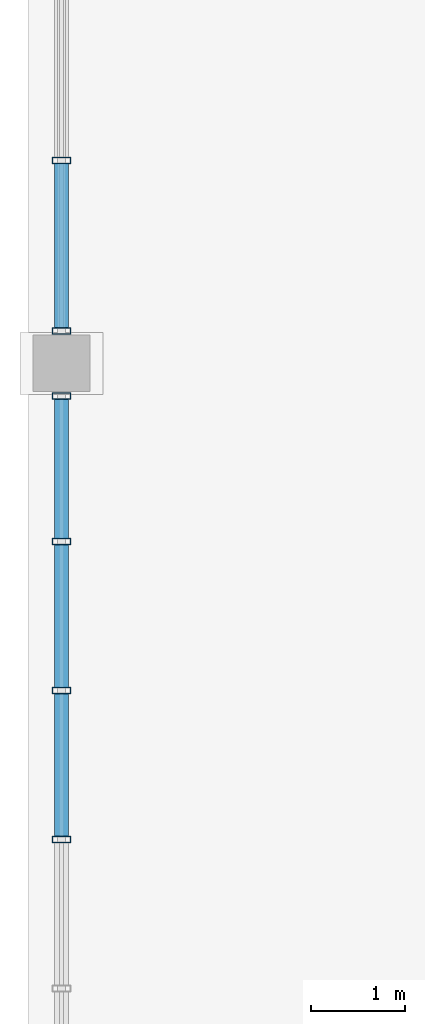
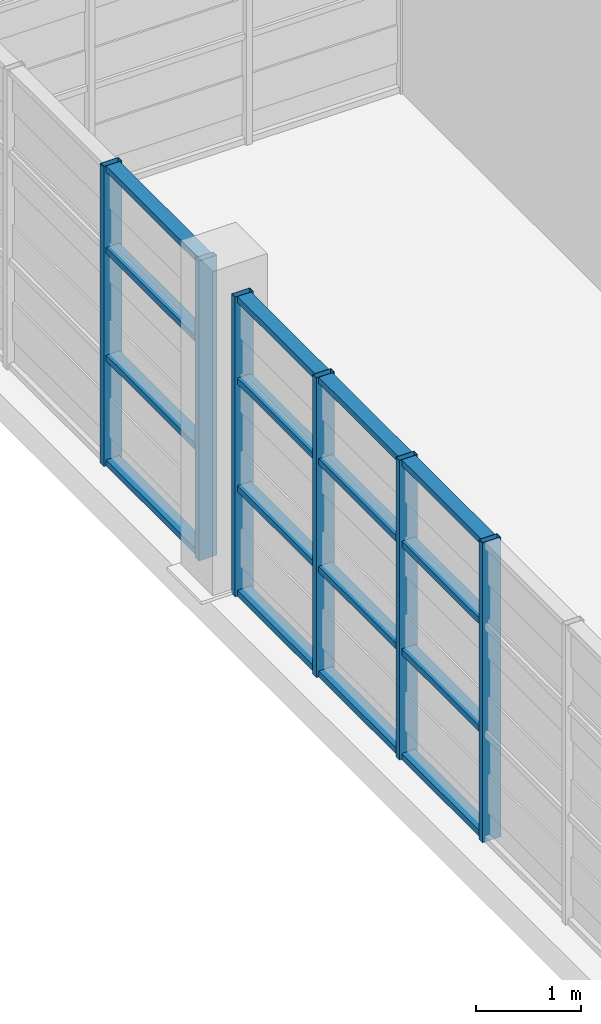
# One storey, part 10 of 24: 22 members, 2 elements without a shape of their own.
"""IFC4 building model written with IfcOpenShell, lengths in metres."""

from ifc_helpers import new_model, si_unit, direction, frame, origin, origin_2d, place, context, subcontext, project, spatial, hollow_rectangle, extrude, source, transform, mapped, material, layer, layer_set, material_profile, profile_set, type_object, element, aggregate, save


model = new_model("IFC4")

# Units and contexts
model_context = context("Model", 3, precision=1e-05, world=origin(), true_north=direction((0.0, 1.0)))
body_context = subcontext(model_context, "Body", "Model", "MODEL_VIEW")
ifc_project = project(units=[si_unit("LENGTHUNIT", "METRE"), si_unit("AREAUNIT", "SQUARE_METRE"), si_unit("VOLUMEUNIT", "CUBIC_METRE"), si_unit("PLANEANGLEUNIT", "RADIAN"), si_unit("MASSUNIT", "GRAM", prefix="KILO")], contexts=[model_context])

# Site, building, storey
site_placement = place(None, origin())
site = spatial("IfcSite", under=ifc_project, at=site_placement, CompositionType="ELEMENT")
building_placement = place(site_placement, origin())
building = spatial("IfcBuilding", under=site, at=building_placement, Name="Saelheon Loggia Tower", CompositionType="ELEMENT")
storey_placement = place(building_placement, frame((0.0, 0.0, 252.199951171875)))
storey = spatial("IfcBuildingStorey", under=building, at=storey_placement, Name="CR1", CompositionType="ELEMENT", Elevation=252.199951171875)

# Curtain wall, members
ifc_material_1 = material(Name="Bronze-Anodised Aluminium and Fritted Ceramic Screen", Category="aluminium")
ifc_layer = layer(ifc_material_1, 0.219970703125)
ifc_layer_set = layer_set([ifc_layer], Name="Bronze-Anodised Aluminium and Fritted Ceramic Screen")
curtain_wall_type = type_object("IfcCurtainWallType", Name="CW_CrownScreen", PredefinedType="NOTDEFINED", material=ifc_layer_set)
curtain_wall_1_placement = place(storey_placement, origin())
curtain_wall_1 = element("IfcCurtainWall", 1, at=curtain_wall_1_placement, inside=storey, type_object=curtain_wall_type, Name="CR1 Crown Screen Curtain Wall 9-1", PredefinedType="NOTDEFINED")
ifc_material_2 = material(Name="Bronze-Anodised Aluminium 6063-T6", Category="aluminium")
ifc_material_profile_1 = material_profile(ifc_material_2, hollow_rectangle(XDim=0.070068359375, YDim=0.199951171875, WallThickness=0.0048828125, at=origin_2d()), Name="RHS-200x70x5")
ifc_profile_set_1 = profile_set([ifc_material_profile_1], Name="Bronze-Anodised Aluminium 6063-T6")
member_type_1 = type_object("IfcMemberType", Name="CW_CrownScreen_Mullion", PredefinedType="MULLION", material=ifc_profile_set_1)
shared_shape_1 = source(origin(), body_context, "Body", "SweptSolid", [
    extrude(hollow_rectangle(XDim=0.070068359375, YDim=0.199951171875, WallThickness=0.0048828125, at=origin_2d()), origin(), (0.0, 0.0, 1.0), 3.47998046875),
])
member_1_placement = place(storey_placement, frame((23.35009765625, 38.1533203125, 0.0), z_axis=(0.0, 0.0, 1.0), x_axis=(0.0, -1.0, 0.0)))
member_1 = element("IfcMember", 2, at=member_1_placement, type_object=member_type_1, Name="CW6 mullion 3", PredefinedType="MULLION", context=body_context, shape_type="MappedRepresentation", body=[
    mapped(shared_shape_1, transform((0.0, 0.0, 0.0), scale=1.0)),
])
member_2_placement = place(storey_placement, frame((23.35009765625, 36.344970703125, 0.0), z_axis=(0.0, 0.0, 1.0), x_axis=(0.0, -1.0, 0.0)))
member_2 = element("IfcMember", 3, at=member_2_placement, type_object=member_type_1, Name="CW6 mullion 4", PredefinedType="MULLION", context=body_context, shape_type="MappedRepresentation", body=[
    mapped(shared_shape_1, transform((0.0, 0.0, 0.0), scale=1.0)),
])

curtain_wall_2_placement = place(storey_placement, origin())
curtain_wall_2 = element("IfcCurtainWall", 4, at=curtain_wall_2_placement, inside=storey, type_object=curtain_wall_type, Name="CR1 Crown Screen Curtain Wall 9-2", PredefinedType="NOTDEFINED")
member_3_placement = place(storey_placement, frame((23.35009765625, 35.655029296875, 0.0), z_axis=(0.0, 0.0, 1.0), x_axis=(0.0, -1.0, 0.0)))
member_3 = element("IfcMember", 5, at=member_3_placement, type_object=member_type_1, Name="CW6 mullion 1", PredefinedType="MULLION", context=body_context, shape_type="MappedRepresentation", body=[
    mapped(shared_shape_1, transform((0.0, 0.0, 0.0), scale=1.0)),
])
member_4_placement = place(storey_placement, frame((23.35009765625, 34.110107421875, 0.0), z_axis=(0.0, 0.0, 1.0), x_axis=(0.0, -1.0, 0.0)))
member_4 = element("IfcMember", 6, at=member_4_placement, type_object=member_type_1, Name="CW6 mullion 2", PredefinedType="MULLION", context=body_context, shape_type="MappedRepresentation", body=[
    mapped(shared_shape_1, transform((0.0, 0.0, 0.0), scale=1.0)),
])
member_5_placement = place(storey_placement, frame((23.35009765625, 32.530029296875, 0.0), z_axis=(0.0, 0.0, 1.0), x_axis=(0.0, -1.0, 0.0)))
member_5 = element("IfcMember", 7, at=member_5_placement, type_object=member_type_1, Name="CW6 mullion 3", PredefinedType="MULLION", context=body_context, shape_type="MappedRepresentation", body=[
    mapped(shared_shape_1, transform((0.0, 0.0, 0.0), scale=1.0)),
])
member_6_placement = place(storey_placement, frame((23.35009765625, 30.949951171875, 0.0), z_axis=(0.0, 0.0, 1.0), x_axis=(0.0, -1.0, 0.0)))
member_6 = element("IfcMember", 8, at=member_6_placement, type_object=member_type_1, Name="CW6 mullion 4", PredefinedType="MULLION", context=body_context, shape_type="MappedRepresentation", body=[
    mapped(shared_shape_1, transform((0.0, 0.0, 0.0), scale=1.0)),
])

# Member
ifc_material_profile_2 = material_profile(ifc_material_2, hollow_rectangle(XDim=0.070068359375, YDim=0.14990234375, WallThickness=0.0048828125, at=origin_2d()), Name="RHS-150x70x5")
ifc_profile_set_2 = profile_set([ifc_material_profile_2], Name="Bronze-Anodised Aluminium 6063-T6")
member_type_2 = type_object("IfcMemberType", Name="CW_CrownScreen_Transom", PredefinedType="USERDEFINED", material=ifc_profile_set_2)
shared_shape_2 = source(origin(), body_context, "Body", "SweptSolid", [
    extrude(hollow_rectangle(XDim=0.070068359375, YDim=0.14990234375, WallThickness=0.0048828125, at=origin_2d()), origin(), (0.0, 0.0, 1.0), 1.738525390625),
])
member_7_placement = place(storey_placement, frame((23.35009765625, 38.118408203125, 0.03515625), z_axis=(0.0, -1.0, 0.0), x_axis=(0.0, 0.0, 1.0)))
member_7 = element("IfcMember", 9, at=member_7_placement, type_object=member_type_2, Name="CW6 transom 3.1", ObjectType="TRANSOM", PredefinedType="USERDEFINED", context=body_context, shape_type="MappedRepresentation", body=[
    mapped(shared_shape_2, transform((0.0, 0.0, 0.0), scale=1.0)),
])

member_8_placement = place(storey_placement, frame((23.35009765625, 38.118408203125, 1.25), z_axis=(0.0, -1.0, 0.0), x_axis=(0.0, 0.0, 1.0)))
member_8 = element("IfcMember", 10, at=member_8_placement, type_object=member_type_2, Name="CW6 transom 3.2", ObjectType="TRANSOM", PredefinedType="USERDEFINED", context=body_context, shape_type="MappedRepresentation", body=[
    mapped(shared_shape_2, transform((0.0, 0.0, 0.0), scale=1.0)),
])

member_9_placement = place(storey_placement, frame((23.35009765625, 38.118408203125, 2.5), z_axis=(0.0, -1.0, 0.0), x_axis=(0.0, 0.0, 1.0)))
member_9 = element("IfcMember", 11, at=member_9_placement, type_object=member_type_2, Name="CW6 transom 3.3", ObjectType="TRANSOM", PredefinedType="USERDEFINED", context=body_context, shape_type="MappedRepresentation", body=[
    mapped(shared_shape_2, transform((0.0, 0.0, 0.0), scale=1.0)),
])

member_10_placement = place(storey_placement, frame((23.35009765625, 38.118408203125, 3.445068359375), z_axis=(0.0, -1.0, 0.0), x_axis=(0.0, 0.0, 1.0)))
member_10 = element("IfcMember", 12, at=member_10_placement, type_object=member_type_2, Name="CW6 transom 3.4", ObjectType="TRANSOM", PredefinedType="USERDEFINED", context=body_context, shape_type="MappedRepresentation", body=[
    mapped(shared_shape_2, transform((0.0, 0.0, 0.0), scale=1.0)),
])

aggregate(curtain_wall_1, [member_1, member_2, member_7, member_8, member_9, member_10])

shared_shape_3 = source(origin(), body_context, "Body", "SweptSolid", [
    extrude(hollow_rectangle(XDim=0.070068359375, YDim=0.14990234375, WallThickness=0.0048828125, at=origin_2d()), origin(), (0.0, 0.0, 1.0), 1.47509765625),
])
member_11_placement = place(storey_placement, frame((23.35009765625, 35.6201171875, 0.03515625), z_axis=(0.0, -1.0, 0.0), x_axis=(0.0, 0.0, 1.0)))
member_11 = element("IfcMember", 13, at=member_11_placement, type_object=member_type_2, Name="CW6 transom 1.1", ObjectType="TRANSOM", PredefinedType="USERDEFINED", context=body_context, shape_type="MappedRepresentation", body=[
    mapped(shared_shape_3, transform((0.0, 0.0, 0.0), scale=1.0)),
])

member_12_placement = place(storey_placement, frame((23.35009765625, 35.6201171875, 1.25), z_axis=(0.0, -1.0, 0.0), x_axis=(0.0, 0.0, 1.0)))
member_12 = element("IfcMember", 14, at=member_12_placement, type_object=member_type_2, Name="CW6 transom 1.2", ObjectType="TRANSOM", PredefinedType="USERDEFINED", context=body_context, shape_type="MappedRepresentation", body=[
    mapped(shared_shape_3, transform((0.0, 0.0, 0.0), scale=1.0)),
])

member_13_placement = place(storey_placement, frame((23.35009765625, 35.6201171875, 2.5), z_axis=(0.0, -1.0, 0.0), x_axis=(0.0, 0.0, 1.0)))
member_13 = element("IfcMember", 15, at=member_13_placement, type_object=member_type_2, Name="CW6 transom 1.3", ObjectType="TRANSOM", PredefinedType="USERDEFINED", context=body_context, shape_type="MappedRepresentation", body=[
    mapped(shared_shape_3, transform((0.0, 0.0, 0.0), scale=1.0)),
])

member_14_placement = place(storey_placement, frame((23.35009765625, 35.6201171875, 3.445068359375), z_axis=(0.0, -1.0, 0.0), x_axis=(0.0, 0.0, 1.0)))
member_14 = element("IfcMember", 16, at=member_14_placement, type_object=member_type_2, Name="CW6 transom 1.4", ObjectType="TRANSOM", PredefinedType="USERDEFINED", context=body_context, shape_type="MappedRepresentation", body=[
    mapped(shared_shape_3, transform((0.0, 0.0, 0.0), scale=1.0)),
])

shared_shape_4 = source(origin(), body_context, "Body", "SweptSolid", [
    extrude(hollow_rectangle(XDim=0.070068359375, YDim=0.14990234375, WallThickness=0.0048828125, at=origin_2d()), origin(), (0.0, 0.0, 1.0), 1.510009765625),
])
member_15_placement = place(storey_placement, frame((23.35009765625, 34.074951171875, 0.03515625), z_axis=(0.0, -1.0, 0.0), x_axis=(0.0, 0.0, 1.0)))
member_15 = element("IfcMember", 17, at=member_15_placement, type_object=member_type_2, Name="CW6 transom 2.1", ObjectType="TRANSOM", PredefinedType="USERDEFINED", context=body_context, shape_type="MappedRepresentation", body=[
    mapped(shared_shape_4, transform((0.0, 0.0, 0.0), scale=1.0)),
])

member_16_placement = place(storey_placement, frame((23.35009765625, 34.074951171875, 1.25), z_axis=(0.0, -1.0, 0.0), x_axis=(0.0, 0.0, 1.0)))
member_16 = element("IfcMember", 18, at=member_16_placement, type_object=member_type_2, Name="CW6 transom 2.2", ObjectType="TRANSOM", PredefinedType="USERDEFINED", context=body_context, shape_type="MappedRepresentation", body=[
    mapped(shared_shape_4, transform((0.0, 0.0, 0.0), scale=1.0)),
])

member_17_placement = place(storey_placement, frame((23.35009765625, 34.074951171875, 2.5), z_axis=(0.0, -1.0, 0.0), x_axis=(0.0, 0.0, 1.0)))
member_17 = element("IfcMember", 19, at=member_17_placement, type_object=member_type_2, Name="CW6 transom 2.3", ObjectType="TRANSOM", PredefinedType="USERDEFINED", context=body_context, shape_type="MappedRepresentation", body=[
    mapped(shared_shape_4, transform((0.0, 0.0, 0.0), scale=1.0)),
])

member_18_placement = place(storey_placement, frame((23.35009765625, 34.074951171875, 3.445068359375), z_axis=(0.0, -1.0, 0.0), x_axis=(0.0, 0.0, 1.0)))
member_18 = element("IfcMember", 20, at=member_18_placement, type_object=member_type_2, Name="CW6 transom 2.4", ObjectType="TRANSOM", PredefinedType="USERDEFINED", context=body_context, shape_type="MappedRepresentation", body=[
    mapped(shared_shape_4, transform((0.0, 0.0, 0.0), scale=1.0)),
])

member_19_placement = place(storey_placement, frame((23.35009765625, 32.4951171875, 0.03515625), z_axis=(0.0, -1.0, 0.0), x_axis=(0.0, 0.0, 1.0)))
member_19 = element("IfcMember", 21, at=member_19_placement, type_object=member_type_2, Name="CW6 transom 3.1", ObjectType="TRANSOM", PredefinedType="USERDEFINED", context=body_context, shape_type="MappedRepresentation", body=[
    mapped(shared_shape_4, transform((0.0, 0.0, 0.0), scale=1.0)),
])

member_20_placement = place(storey_placement, frame((23.35009765625, 32.4951171875, 1.25), z_axis=(0.0, -1.0, 0.0), x_axis=(0.0, 0.0, 1.0)))
member_20 = element("IfcMember", 22, at=member_20_placement, type_object=member_type_2, Name="CW6 transom 3.2", ObjectType="TRANSOM", PredefinedType="USERDEFINED", context=body_context, shape_type="MappedRepresentation", body=[
    mapped(shared_shape_4, transform((0.0, 0.0, 0.0), scale=1.0)),
])

member_21_placement = place(storey_placement, frame((23.35009765625, 32.4951171875, 2.5), z_axis=(0.0, -1.0, 0.0), x_axis=(0.0, 0.0, 1.0)))
member_21 = element("IfcMember", 23, at=member_21_placement, type_object=member_type_2, Name="CW6 transom 3.3", ObjectType="TRANSOM", PredefinedType="USERDEFINED", context=body_context, shape_type="MappedRepresentation", body=[
    mapped(shared_shape_4, transform((0.0, 0.0, 0.0), scale=1.0)),
])

member_22_placement = place(storey_placement, frame((23.35009765625, 32.4951171875, 3.445068359375), z_axis=(0.0, -1.0, 0.0), x_axis=(0.0, 0.0, 1.0)))
member_22 = element("IfcMember", 24, at=member_22_placement, type_object=member_type_2, Name="CW6 transom 3.4", ObjectType="TRANSOM", PredefinedType="USERDEFINED", context=body_context, shape_type="MappedRepresentation", body=[
    mapped(shared_shape_4, transform((0.0, 0.0, 0.0), scale=1.0)),
])

aggregate(curtain_wall_2, [member_3, member_4, member_5, member_6, member_11, member_12, member_13, member_14, member_15, member_16, member_17, member_18, member_19, member_20, member_21, member_22])

save(model, "model.ifc")
